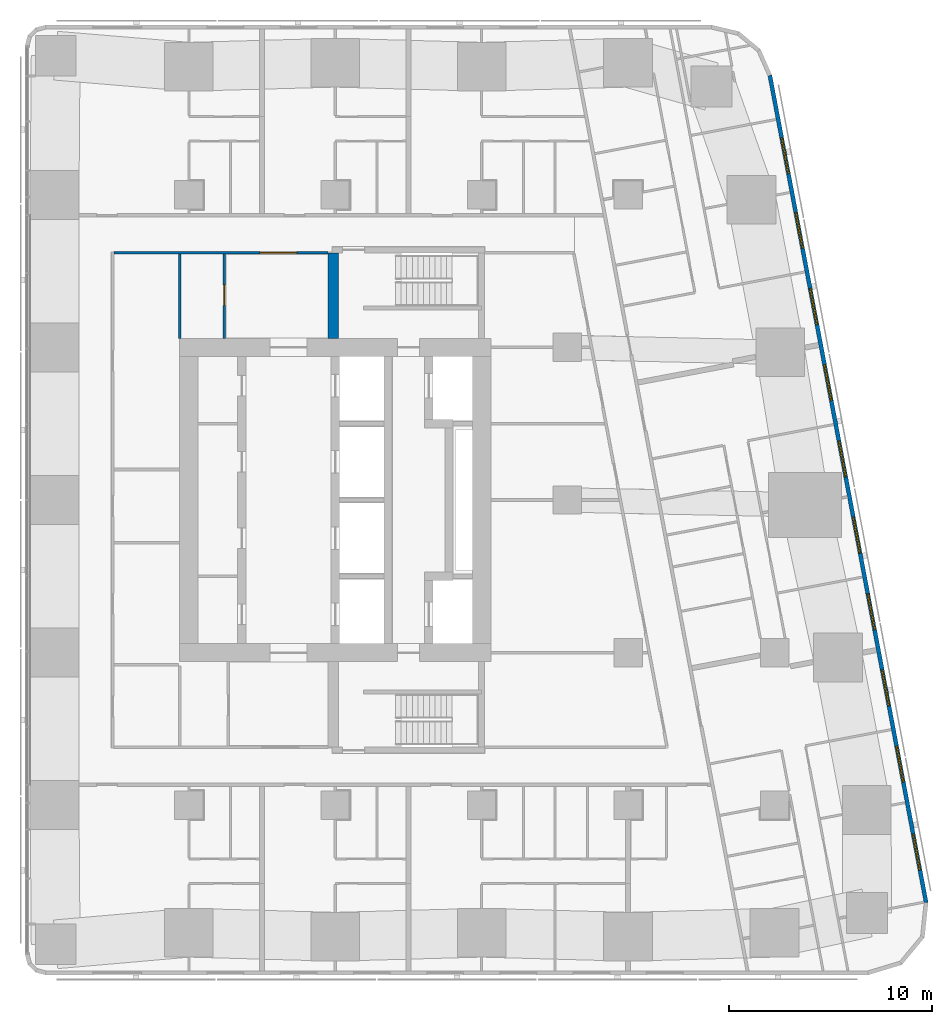
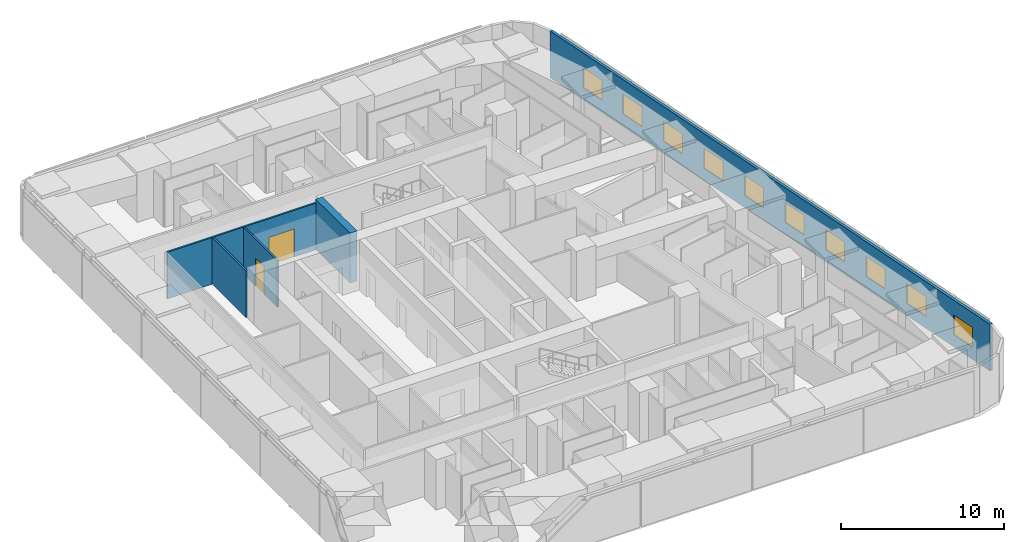
# One storey, part 12 of 17: 10 windows, 5 walls, 2 doors, 12 openings.
"""IFC4 building model written with IfcOpenShell, lengths in metres."""

from ifc_helpers import new_model, si_unit, direction, frame, frame_2d, origin, place, context, subcontext, project, spatial, rectangle, extrude, material, layer, layer_set, type_object, element, fill, save


model = new_model("IFC4")

# Units and contexts
model_context = context("Model", 3, precision=1e-05, world=origin(), true_north=direction((0.0, 1.0)))
body_context = subcontext(model_context, "Body", "Model", "MODEL_VIEW")
ifc_project = project(units=[si_unit("LENGTHUNIT", "METRE"), si_unit("AREAUNIT", "SQUARE_METRE"), si_unit("VOLUMEUNIT", "CUBIC_METRE"), si_unit("PLANEANGLEUNIT", "RADIAN"), si_unit("MASSUNIT", "GRAM", prefix="KILO")], contexts=[model_context])

# Site, building, storey
site_placement = place(None, origin())
site = spatial("IfcSite", under=ifc_project, at=site_placement, CompositionType="ELEMENT")
building_placement = place(site_placement, origin())
building = spatial("IfcBuilding", under=site, at=building_placement, Name="Sheger Commons Tower", CompositionType="ELEMENT")
storey_placement = place(building_placement, frame((0.0, 0.0, 212.449951171875)))
storey = spatial("IfcBuildingStorey", under=building, at=storey_placement, Name="L54", CompositionType="ELEMENT", Elevation=212.449951171875)

# Wall, openings, windows
ifc_material_1 = material(Name="Rendered concrete block masonry, dark grey", Category="masonry")
ifc_layer_1 = layer(ifc_material_1, 0.199951171875)
ifc_layer_set_1 = layer_set([ifc_layer_1], Name="FACADE WALL 200")
wall_type_1 = type_object("IfcWallType", Name="FACADE WALL 200", PredefinedType="SOLIDWALL", material=ifc_layer_set_1)
wall_1_placement = place(storey_placement, frame((50.653076171875, 2.702880859375, 0.0), z_axis=(0.0, 0.0, 1.0), x_axis=(-0.185612026696, 0.982623109613, 0.0)))
wall_1 = element("IfcWall", 1, at=wall_1_placement, inside=storey, type_object=wall_type_1, Name="Facade wall L54", PredefinedType="SOLIDWALL", context=body_context, shape_type="SweptSolid", body=[
    extrude(rectangle(XDim=41.393310546875, YDim=0.199951171875, at=frame_2d((20.69677734375, 0.0))), origin(), (0.0, 0.0, 1.0), 3.5),
])
opening_1_placement = place(wall_1_placement, frame((1.633056640625, 0.0, 0.89990234375)))
opening_1 = element("IfcOpeningElement", 2, at=opening_1_placement, cuts=wall_1, Name="Opening W2", PredefinedType="OPENING", context=body_context, shape_type="SweptSolid", body=[
    extrude(rectangle(XDim=1.800048828125, YDim=1.5, at=frame_2d((0.89990234375, 0.75))), frame((0.0, 0.10986328125, 0.0), z_axis=(0.0, -1.0, 0.0), x_axis=(1.0, 0.0, 0.0)), (0.0, 0.0, 1.0), 0.219970703125),
])
opening_2_placement = place(wall_1_placement, frame((6.031982421875, 0.0, 0.89990234375)))
opening_2 = element("IfcOpeningElement", 3, at=opening_2_placement, cuts=wall_1, Name="Opening W2", PredefinedType="OPENING", context=body_context, shape_type="SweptSolid", body=[
    extrude(rectangle(XDim=1.800048828125, YDim=1.5, at=frame_2d((0.89990234375, 0.75))), frame((0.0, 0.10986328125, 0.0), z_axis=(0.0, -1.0, 0.0), x_axis=(1.0, 0.0, 0.0)), (0.0, 0.0, 1.0), 0.219970703125),
])
opening_3_placement = place(wall_1_placement, frame((9.847900390625, 0.0, 0.89990234375)))
opening_3 = element("IfcOpeningElement", 4, at=opening_3_placement, cuts=wall_1, Name="Opening W2", PredefinedType="OPENING", context=body_context, shape_type="SweptSolid", body=[
    extrude(rectangle(XDim=1.800048828125, YDim=1.5, at=frame_2d((0.89990234375, 0.75))), frame((0.0, 0.10986328125, 0.0), z_axis=(0.0, -1.0, 0.0), x_axis=(1.0, 0.0, 0.0)), (0.0, 0.0, 1.0), 0.219970703125),
])
opening_4_placement = place(wall_1_placement, frame((13.6640625, 0.0, 0.89990234375)))
opening_4 = element("IfcOpeningElement", 5, at=opening_4_placement, cuts=wall_1, Name="Opening W2", PredefinedType="OPENING", context=body_context, shape_type="SweptSolid", body=[
    extrude(rectangle(XDim=1.800048828125, YDim=1.5, at=frame_2d((0.89990234375, 0.75))), frame((0.0, 0.10986328125, 0.0), z_axis=(0.0, -1.0, 0.0), x_axis=(1.0, 0.0, 0.0)), (0.0, 0.0, 1.0), 0.219970703125),
])
opening_5_placement = place(wall_1_placement, frame((17.48095703125, 0.0, 0.89990234375)))
opening_5 = element("IfcOpeningElement", 6, at=opening_5_placement, cuts=wall_1, Name="Opening W2", PredefinedType="OPENING", context=body_context, shape_type="SweptSolid", body=[
    extrude(rectangle(XDim=1.800048828125, YDim=1.5, at=frame_2d((0.89990234375, 0.75))), frame((0.0, 0.10986328125, 0.0), z_axis=(0.0, -1.0, 0.0), x_axis=(1.0, 0.0, 0.0)), (0.0, 0.0, 1.0), 0.219970703125),
])
opening_6_placement = place(wall_1_placement, frame((21.297119140625, 0.0, 0.89990234375)))
opening_6 = element("IfcOpeningElement", 7, at=opening_6_placement, cuts=wall_1, Name="Opening W2", PredefinedType="OPENING", context=body_context, shape_type="SweptSolid", body=[
    extrude(rectangle(XDim=1.800048828125, YDim=1.5, at=frame_2d((0.89990234375, 0.75))), frame((0.0, 0.10986328125, 0.0), z_axis=(0.0, -1.0, 0.0), x_axis=(1.0, 0.0, 0.0)), (0.0, 0.0, 1.0), 0.219970703125),
])
opening_7_placement = place(wall_1_placement, frame((25.113037109375, 0.0, 0.89990234375)))
opening_7 = element("IfcOpeningElement", 8, at=opening_7_placement, cuts=wall_1, Name="Opening W2", PredefinedType="OPENING", context=body_context, shape_type="SweptSolid", body=[
    extrude(rectangle(XDim=1.800048828125, YDim=1.5, at=frame_2d((0.89990234375, 0.75))), frame((0.0, 0.10986328125, 0.0), z_axis=(0.0, -1.0, 0.0), x_axis=(1.0, 0.0, 0.0)), (0.0, 0.0, 1.0), 0.219970703125),
])
opening_8_placement = place(wall_1_placement, frame((28.929931640625, 0.0, 0.89990234375)))
opening_8 = element("IfcOpeningElement", 9, at=opening_8_placement, cuts=wall_1, Name="Opening W2", PredefinedType="OPENING", context=body_context, shape_type="SweptSolid", body=[
    extrude(rectangle(XDim=1.800048828125, YDim=1.5, at=frame_2d((0.89990234375, 0.75))), frame((0.0, 0.10986328125, 0.0), z_axis=(0.0, -1.0, 0.0), x_axis=(1.0, 0.0, 0.0)), (0.0, 0.0, 1.0), 0.219970703125),
])
opening_9_placement = place(wall_1_placement, frame((32.74609375, 0.0, 0.89990234375)))
opening_9 = element("IfcOpeningElement", 10, at=opening_9_placement, cuts=wall_1, Name="Opening W2", PredefinedType="OPENING", context=body_context, shape_type="SweptSolid", body=[
    extrude(rectangle(XDim=1.800048828125, YDim=1.5, at=frame_2d((0.89990234375, 0.75))), frame((0.0, 0.10986328125, 0.0), z_axis=(0.0, -1.0, 0.0), x_axis=(1.0, 0.0, 0.0)), (0.0, 0.0, 1.0), 0.219970703125),
])
opening_10_placement = place(wall_1_placement, frame((36.48095703125, 0.0, 0.89990234375)))
opening_10 = element("IfcOpeningElement", 11, at=opening_10_placement, cuts=wall_1, Name="Opening W2", PredefinedType="OPENING", context=body_context, shape_type="SweptSolid", body=[
    extrude(rectangle(XDim=1.800048828125, YDim=1.5, at=frame_2d((0.89990234375, 0.75))), frame((0.0, 0.10986328125, 0.0), z_axis=(0.0, -1.0, 0.0), x_axis=(1.0, 0.0, 0.0)), (0.0, 0.0, 1.0), 0.219970703125),
])
ifc_material_2 = material(Name="Black aluminium frame, dark tinted double glazing", Category="aluminium")
window_type = type_object("IfcWindowType", Name="WINDOW W2 1800x1500", PartitioningType="SINGLE_PANEL", PredefinedType="WINDOW", material=ifc_material_2)
window_1_placement = place(opening_1_placement, origin())
window_1 = element("IfcWindow", 12, at=window_1_placement, inside=storey, type_object=window_type, Name="Window W2 1800X1500", OverallHeight=1.5, OverallWidth=1.800048828125, PartitioningType="SINGLE_PANEL", PredefinedType="WINDOW", context=body_context, shape_type="SweptSolid", body=[
    extrude(rectangle(XDim=1.800048828125, YDim=1.5, at=frame_2d((0.89990234375, 0.75))), frame((0.0, 0.030029296875, 0.0), z_axis=(0.0, -1.0, 0.0), x_axis=(1.0, 0.0, 0.0)), (0.0, 0.0, 1.0), 0.06005859375),
])
fill(opening_1, window_1)
window_2_placement = place(opening_2_placement, origin())
window_2 = element("IfcWindow", 13, at=window_2_placement, inside=storey, type_object=window_type, Name="Window W2 1800X1500", OverallHeight=1.5, OverallWidth=1.800048828125, PartitioningType="SINGLE_PANEL", PredefinedType="WINDOW", context=body_context, shape_type="SweptSolid", body=[
    extrude(rectangle(XDim=1.800048828125, YDim=1.5, at=frame_2d((0.89990234375, 0.75))), frame((0.0, 0.030029296875, 0.0), z_axis=(0.0, -1.0, 0.0), x_axis=(1.0, 0.0, 0.0)), (0.0, 0.0, 1.0), 0.06005859375),
])
fill(opening_2, window_2)
window_3_placement = place(opening_3_placement, origin())
window_3 = element("IfcWindow", 14, at=window_3_placement, inside=storey, type_object=window_type, Name="Window W2 1800X1500", OverallHeight=1.5, OverallWidth=1.800048828125, PartitioningType="SINGLE_PANEL", PredefinedType="WINDOW", context=body_context, shape_type="SweptSolid", body=[
    extrude(rectangle(XDim=1.800048828125, YDim=1.5, at=frame_2d((0.89990234375, 0.75))), frame((0.0, 0.030029296875, 0.0), z_axis=(0.0, -1.0, 0.0), x_axis=(1.0, 0.0, 0.0)), (0.0, 0.0, 1.0), 0.06005859375),
])
fill(opening_3, window_3)
window_4_placement = place(opening_4_placement, origin())
window_4 = element("IfcWindow", 15, at=window_4_placement, inside=storey, type_object=window_type, Name="Window W2 1800X1500", OverallHeight=1.5, OverallWidth=1.800048828125, PartitioningType="SINGLE_PANEL", PredefinedType="WINDOW", context=body_context, shape_type="SweptSolid", body=[
    extrude(rectangle(XDim=1.800048828125, YDim=1.5, at=frame_2d((0.89990234375, 0.75))), frame((0.0, 0.030029296875, 0.0), z_axis=(0.0, -1.0, 0.0), x_axis=(1.0, 0.0, 0.0)), (0.0, 0.0, 1.0), 0.06005859375),
])
fill(opening_4, window_4)
window_5_placement = place(opening_5_placement, origin())
window_5 = element("IfcWindow", 16, at=window_5_placement, inside=storey, type_object=window_type, Name="Window W2 1800X1500", OverallHeight=1.5, OverallWidth=1.800048828125, PartitioningType="SINGLE_PANEL", PredefinedType="WINDOW", context=body_context, shape_type="SweptSolid", body=[
    extrude(rectangle(XDim=1.800048828125, YDim=1.5, at=frame_2d((0.89990234375, 0.75))), frame((0.0, 0.030029296875, 0.0), z_axis=(0.0, -1.0, 0.0), x_axis=(1.0, 0.0, 0.0)), (0.0, 0.0, 1.0), 0.06005859375),
])
fill(opening_5, window_5)
window_6_placement = place(opening_6_placement, origin())
window_6 = element("IfcWindow", 17, at=window_6_placement, inside=storey, type_object=window_type, Name="Window W2 1800X1500", OverallHeight=1.5, OverallWidth=1.800048828125, PartitioningType="SINGLE_PANEL", PredefinedType="WINDOW", context=body_context, shape_type="SweptSolid", body=[
    extrude(rectangle(XDim=1.800048828125, YDim=1.5, at=frame_2d((0.89990234375, 0.75))), frame((0.0, 0.030029296875, 0.0), z_axis=(0.0, -1.0, 0.0), x_axis=(1.0, 0.0, 0.0)), (0.0, 0.0, 1.0), 0.06005859375),
])
fill(opening_6, window_6)
window_7_placement = place(opening_7_placement, origin())
window_7 = element("IfcWindow", 18, at=window_7_placement, inside=storey, type_object=window_type, Name="Window W2 1800X1500", OverallHeight=1.5, OverallWidth=1.800048828125, PartitioningType="SINGLE_PANEL", PredefinedType="WINDOW", context=body_context, shape_type="SweptSolid", body=[
    extrude(rectangle(XDim=1.800048828125, YDim=1.5, at=frame_2d((0.89990234375, 0.75))), frame((0.0, 0.030029296875, 0.0), z_axis=(0.0, -1.0, 0.0), x_axis=(1.0, 0.0, 0.0)), (0.0, 0.0, 1.0), 0.06005859375),
])
fill(opening_7, window_7)
window_8_placement = place(opening_8_placement, origin())
window_8 = element("IfcWindow", 19, at=window_8_placement, inside=storey, type_object=window_type, Name="Window W2 1800X1500", OverallHeight=1.5, OverallWidth=1.800048828125, PartitioningType="SINGLE_PANEL", PredefinedType="WINDOW", context=body_context, shape_type="SweptSolid", body=[
    extrude(rectangle(XDim=1.800048828125, YDim=1.5, at=frame_2d((0.89990234375, 0.75))), frame((0.0, 0.030029296875, 0.0), z_axis=(0.0, -1.0, 0.0), x_axis=(1.0, 0.0, 0.0)), (0.0, 0.0, 1.0), 0.06005859375),
])
fill(opening_8, window_8)
window_9_placement = place(opening_9_placement, origin())
window_9 = element("IfcWindow", 20, at=window_9_placement, inside=storey, type_object=window_type, Name="Window W2 1800X1500", OverallHeight=1.5, OverallWidth=1.800048828125, PartitioningType="SINGLE_PANEL", PredefinedType="WINDOW", context=body_context, shape_type="SweptSolid", body=[
    extrude(rectangle(XDim=1.800048828125, YDim=1.5, at=frame_2d((0.89990234375, 0.75))), frame((0.0, 0.030029296875, 0.0), z_axis=(0.0, -1.0, 0.0), x_axis=(1.0, 0.0, 0.0)), (0.0, 0.0, 1.0), 0.06005859375),
])
fill(opening_9, window_9)
window_10_placement = place(opening_10_placement, origin())
window_10 = element("IfcWindow", 21, at=window_10_placement, inside=storey, type_object=window_type, Name="Window W2 1800X1500", OverallHeight=1.5, OverallWidth=1.800048828125, PartitioningType="SINGLE_PANEL", PredefinedType="WINDOW", context=body_context, shape_type="SweptSolid", body=[
    extrude(rectangle(XDim=1.800048828125, YDim=1.5, at=frame_2d((0.89990234375, 0.75))), frame((0.0, 0.030029296875, 0.0), z_axis=(0.0, -1.0, 0.0), x_axis=(1.0, 0.0, 0.0)), (0.0, 0.0, 1.0), 0.06005859375),
])
fill(opening_10, window_10)

# Wall
ifc_material_3 = material(Name="Gypsum board on steel studs, two layers each side, fire rated", Category="steel")
ifc_layer_2 = layer(ifc_material_3, 0.125)
ifc_layer_set_2 = layer_set([ifc_layer_2], Name="SERVICE WALL 125")
wall_type_2 = type_object("IfcWallType", Name="SERVICE WALL 125", PredefinedType="PARTITIONING", material=ifc_layer_set_2)
wall_2_placement = place(storey_placement, frame((13.949951171875, 30.449951171875, 0.0), z_axis=(0.0, 0.0, 1.0), x_axis=(0.0, 1.0, 0.0)))
element("IfcWall", 22, at=wall_2_placement, inside=storey, type_object=wall_type_2, Name="Service room wall L54", PredefinedType="PARTITIONING", context=body_context, shape_type="SweptSolid", body=[
    extrude(rectangle(XDim=4.136962890625, YDim=0.125, at=frame_2d((2.068359375, 0.0))), origin(), (0.0, 0.0, 1.0), 3.5),
])

# Wall, opening, door
wall_3_placement = place(storey_placement, frame((10.712890625, 34.64990234375, 0.0), z_axis=(0.0, 0.0, 1.0), x_axis=(1.0, 0.0, 0.0)))
wall_3 = element("IfcWall", 23, at=wall_3_placement, inside=storey, type_object=wall_type_2, Name="Service room wall L54", PredefinedType="PARTITIONING", context=body_context, shape_type="SweptSolid", body=[
    extrude(rectangle(XDim=10.537109375, YDim=0.125, at=frame_2d((5.2685546875, 0.0))), origin(), (0.0, 0.0, 1.0), 3.5),
])
opening_11_placement = place(wall_3_placement, frame((7.18701171875, 0.0, 0.0)))
opening_11 = element("IfcOpeningElement", 24, at=opening_11_placement, cuts=wall_3, Name="Opening D6", PredefinedType="OPENING", context=body_context, shape_type="SweptSolid", body=[
    extrude(rectangle(XDim=1.800048828125, YDim=2.10009765625, at=frame_2d((0.89990234375, 1.050048828125))), frame((0.0, 0.072509765625, 0.0), z_axis=(0.0, -1.0, 0.0), x_axis=(1.0, 0.0, 0.0)), (0.0, 0.0, 1.0), 0.14501953125),
])
ifc_material_4 = material(Name="Steel door set, fire rated", Category="steel")
door_type_1 = type_object("IfcDoorType", Name="LOBBY DOUBLE DOOR 1800x2100", OperationType="DOUBLE_DOOR_SINGLE_SWING", PredefinedType="DOOR", material=ifc_material_4)
door_1_placement = place(opening_11_placement, origin())
door_1 = element("IfcDoor", 25, at=door_1_placement, inside=storey, type_object=door_type_1, Name="Lift lobby north door", OperationType="DOUBLE_DOOR_SINGLE_SWING", OverallHeight=2.10009765625, OverallWidth=1.800048828125, PredefinedType="DOOR", context=body_context, shape_type="SweptSolid", body=[
    extrude(rectangle(XDim=1.800048828125, YDim=2.10009765625, at=frame_2d((0.89990234375, 1.050048828125))), frame((0.0, 0.02490234375, 0.0), z_axis=(0.0, -1.0, 0.0), x_axis=(1.0, 0.0, 0.0)), (0.0, 0.0, 1.0), 0.050048828125),
])
fill(opening_11, door_1)

wall_4_placement = place(storey_placement, frame((16.14990234375, 30.449951171875, 0.0), z_axis=(0.0, 0.0, 1.0), x_axis=(0.0, 1.0, 0.0)))
wall_4 = element("IfcWall", 26, at=wall_4_placement, inside=storey, type_object=wall_type_2, Name="Service room wall L54", PredefinedType="PARTITIONING", context=body_context, shape_type="SweptSolid", body=[
    extrude(rectangle(XDim=4.136962890625, YDim=0.125, at=frame_2d((2.068359375, 0.0))), origin(), (0.0, 0.0, 1.0), 3.5),
])
opening_12_placement = place(wall_4_placement, frame((1.625, 0.0, 0.0)))
opening_12 = element("IfcOpeningElement", 27, at=opening_12_placement, cuts=wall_4, Name="Opening D4", PredefinedType="OPENING", context=body_context, shape_type="SweptSolid", body=[
    extrude(rectangle(XDim=1.0, YDim=2.10009765625, at=frame_2d((0.5, 1.050048828125))), frame((0.0, 0.072509765625, 0.0), z_axis=(0.0, -1.0, 0.0), x_axis=(1.0, 0.0, 0.0)), (0.0, 0.0, 1.0), 0.14501953125),
])
ifc_material_5 = material(Name="Steel door set, fire rated", Category="steel")
door_type_2 = type_object("IfcDoorType", Name="SERVICE DOOR 1000x2100", OperationType="NOTDEFINED", PredefinedType="DOOR", material=ifc_material_5)
door_2_placement = place(opening_12_placement, origin())
door_2 = element("IfcDoor", 28, at=door_2_placement, inside=storey, type_object=door_type_2, Name="Telecom room door", OperationType="SINGLE_SWING_RIGHT", OverallHeight=2.10009765625, OverallWidth=1.0, PredefinedType="DOOR", context=body_context, shape_type="SweptSolid", body=[
    extrude(rectangle(XDim=1.0, YDim=2.10009765625, at=frame_2d((0.5, 1.050048828125))), frame((0.0, 0.02490234375, 0.0), z_axis=(0.0, -1.0, 0.0), x_axis=(1.0, 0.0, 0.0)), (0.0, 0.0, 1.0), 0.050048828125),
])
fill(opening_12, door_2)

# Wall
ifc_material_6 = material(Name="Concrete C50/60", Category="concrete")
ifc_layer_3 = layer(ifc_material_6, 0.5)
ifc_layer_set_3 = layer_set([ifc_layer_3], Name="STAIR CORE WALL 500")
wall_type_3 = type_object("IfcWallType", Name="STAIR CORE WALL 500", PredefinedType="SHEAR", material=ifc_layer_set_3)
wall_5_placement = place(storey_placement, frame((21.5, 30.449951171875, 0.0), z_axis=(0.0, 0.0, 1.0), x_axis=(0.0, 1.0, 0.0)))
element("IfcWall", 29, at=wall_5_placement, inside=storey, type_object=wall_type_3, Name="STW-L54-S2W", PredefinedType="SHEAR", context=body_context, shape_type="SweptSolid", body=[
    extrude(rectangle(XDim=4.199951171875, YDim=0.5, at=frame_2d((2.10009765625, 0.0))), origin(), (0.0, 0.0, 1.0), 3.75),
])

save(model, "model.ifc")
